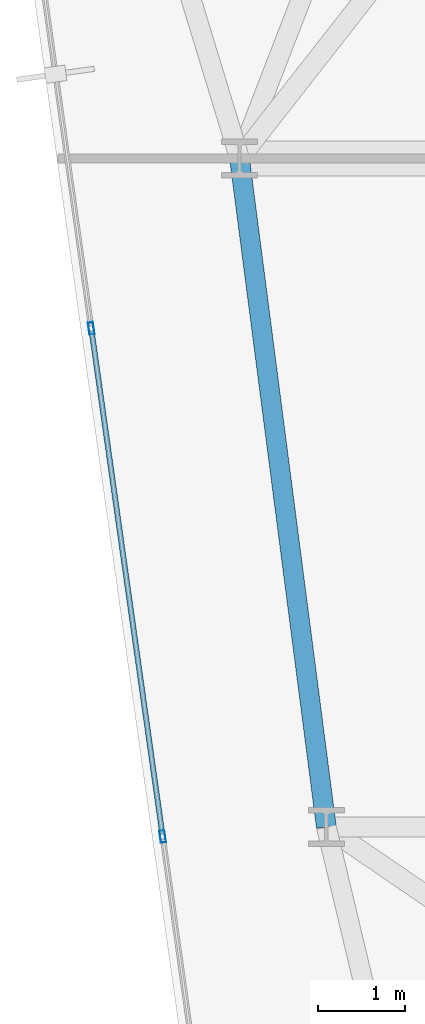
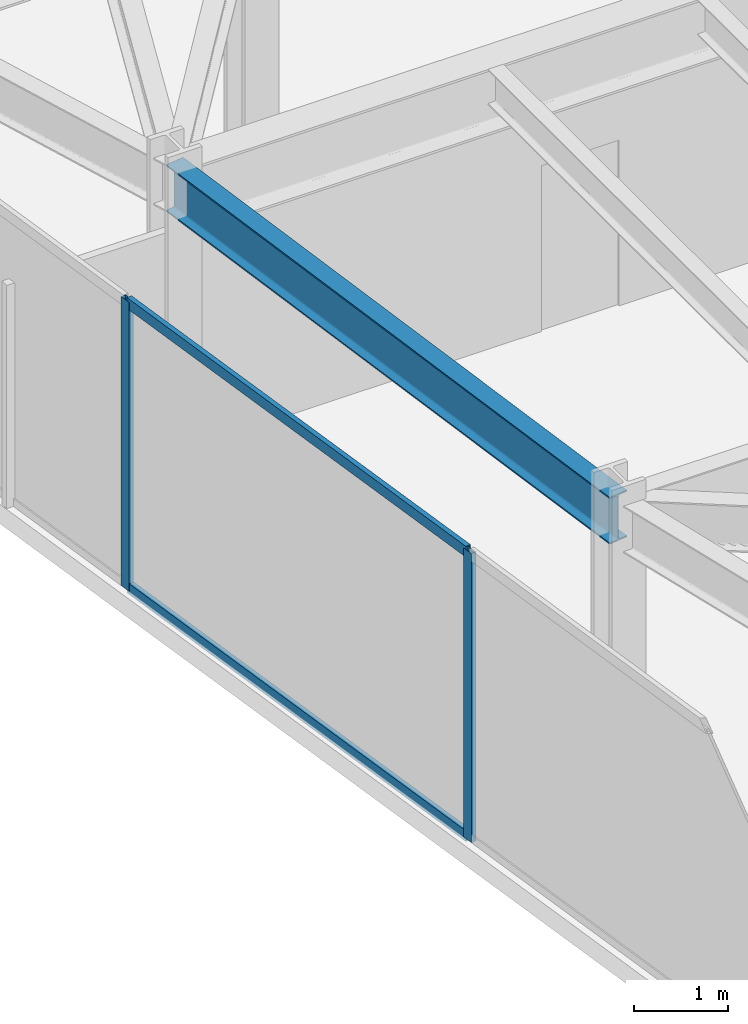
# One storey, part 5 of 26: 4 members, 1 beam, 1 element without a shape of its own.
"""IFC4 building model written with IfcOpenShell, lengths in metres."""

import ifcopenshell
import ifcopenshell.guid

model = None  # the IFC model being written
_history = None  # IfcOwnerHistory: only IFC2X3 demands one
_inside = {}  # id of a spatial element -> (the spatial element, [elements in it])
_under = {}  # id of a project, library or spatial element -> (it, [spatial elements below it])
_declared = {}  # id of a project -> (the project, [libraries it declares])
_typed = {}  # id of a type object -> (the type object, [elements of that type])
_made_of = {}  # id of a material, layer set ... -> (it, [elements and type objects made of it])


def new_model(schema):
    """Start an empty IFC model of exactly this schema.

    Asked for "IFC4X3", IfcOpenShell would pick the latest addendum, in which some entities
    have other attributes; the version numbers below select the first issue.
    IFC2X3 requires an IfcOwnerHistory on every rooted entity: one is made here for all.
    """
    global model, _history
    if schema == "IFC4X3":
        model = ifcopenshell.file(schema_version=(4, 3, 0, 0))
    else:
        model = ifcopenshell.file(schema=schema)
    _inside.clear()
    _under.clear()
    _declared.clear()
    _typed.clear()
    _made_of.clear()
    _history = None
    if model.schema == "IFC2X3":
        org = make("IfcOrganization", Name="unknown")
        user = make(
            "IfcPersonAndOrganization",
            ThePerson=make("IfcPerson", FamilyName="unknown"),
            TheOrganization=org,
        )
        app = make(
            "IfcApplication",
            ApplicationDeveloper=org,
            Version="unknown",
            ApplicationFullName="unknown",
            ApplicationIdentifier="unknown",
        )
        _history = make(
            "IfcOwnerHistory",
            OwningUser=user,
            OwningApplication=app,
            ChangeAction="ADDED",
            CreationDate=0,
        )
    return model


def make(cls, **values):
    """One entity of the class cls with the attributes given. An attribute that is None is left unset."""
    return model.create_entity(
        cls, **{name: value for name, value in values.items() if value is not None}
    )


def rooted(cls, **values):
    """An entity with a GlobalId (a new one), such as an element, a storey or a relation."""
    return make(cls, GlobalId=ifcopenshell.guid.new(), OwnerHistory=_history, **values)


def si_unit(unit_type, name, prefix=None):
    """IfcSIUnit, for example si_unit("LENGTHUNIT", "METRE", prefix="MILLI")."""
    return make("IfcSIUnit", UnitType=unit_type, Prefix=prefix, Name=name)


def assignment(units):
    """IfcUnitAssignment: the units of a project."""
    return None if units is None else make("IfcUnitAssignment", Units=units)


def point(xyz):
    """IfcCartesianPoint."""
    return None if xyz is None else make("IfcCartesianPoint", Coordinates=xyz)


def direction(xyz):
    """IfcDirection."""
    return None if xyz is None else make("IfcDirection", DirectionRatios=xyz)


def frame(location, z_axis=None, x_axis=None):
    """IfcAxis2Placement3D, a coordinate frame: its origin and axes. An axis left out is left unset."""
    return make(
        "IfcAxis2Placement3D",
        Location=point(location),
        Axis=direction(z_axis),
        RefDirection=direction(x_axis),
    )


def frame_2d(location, x_axis=None):
    """IfcAxis2Placement2D, a coordinate frame in the plane: its origin and x axis."""
    return make(
        "IfcAxis2Placement2D", Location=point(location), RefDirection=direction(x_axis)
    )


def origin():
    """The frame at (0, 0, 0) with its axes left unset."""
    return frame((0.0, 0.0, 0.0))


def origin_2d():
    """The frame at (0, 0) in the plane with its x axis left unset."""
    return frame_2d((0.0, 0.0))


def place(relative_to, where):
    """IfcLocalPlacement: puts the frame where relative to a parent placement (None: the world)."""
    return make(
        "IfcLocalPlacement", PlacementRelTo=relative_to, RelativePlacement=where
    )


def context(
    kind, dimensions, precision=None, world=None, true_north=None, identifier=None
):
    """IfcGeometricRepresentationContext, for example the 3D "Model" context."""
    return make(
        "IfcGeometricRepresentationContext",
        ContextIdentifier=identifier,
        ContextType=kind,
        CoordinateSpaceDimension=dimensions,
        Precision=precision,
        WorldCoordinateSystem=world,
        TrueNorth=true_north,
    )


def subcontext(parent, identifier, kind, view, scale=None):
    """IfcGeometricRepresentationSubContext, for example "Body" below "Model"."""
    return make(
        "IfcGeometricRepresentationSubContext",
        ContextIdentifier=identifier,
        ContextType=kind,
        ParentContext=parent,
        TargetScale=scale,
        TargetView=view,
    )


def project(units=None, contexts=None):
    """IfcProject with its units and contexts."""
    return rooted(
        "IfcProject",
        Name="project",
        RepresentationContexts=contexts,
        UnitsInContext=assignment(units),
    )


def spatial(cls, under=None, at=None, **own):
    """A site, building, storey or space (cls), placed at a placement, below another one or the project."""
    s = rooted(cls, ObjectPlacement=at, **own)
    if under is not None:
        _under.setdefault(under.id(), (under, []))[1].append(s)
    return s


def profile(cls, at=None, kind="AREA", **sizes):
    """A parametric profile (cls). Its sizes go by their IFC names, for example OverallWidth=200.0."""
    return make(cls, ProfileType=kind, Position=at, **sizes)


def hollow_rectangle(**sizes):
    """IfcRectangleHollowProfileDef."""
    return profile("IfcRectangleHollowProfileDef", **sizes)


def i_section(**sizes):
    """IfcIShapeProfileDef."""
    return profile("IfcIShapeProfileDef", **sizes)


def extrude(swept, where, along, depth):
    """IfcExtrudedAreaSolid: the profile swept, set in the frame where, extruded along a direction by depth."""
    return make(
        "IfcExtrudedAreaSolid",
        SweptArea=swept,
        Position=where,
        ExtrudedDirection=direction(along),
        Depth=depth,
    )


def shape(context_of_items, identifier, shape_type, items):
    """IfcShapeRepresentation: the items that make up one representation, for example the "Body"."""
    return make(
        "IfcShapeRepresentation",
        ContextOfItems=context_of_items,
        RepresentationIdentifier=identifier,
        RepresentationType=shape_type,
        Items=items,
    )


def material(Name=None, Category=None):
    """IfcMaterial."""
    return make("IfcMaterial", Name=Name, Category=Category)


def layer(
    of_material, thickness, ventilated=None, Name=None, Category=None, Priority=None
):
    """IfcMaterialLayer: one layer of a wall or slab, of a material (None: an air gap)."""
    return make(
        "IfcMaterialLayer",
        Material=of_material,
        LayerThickness=thickness,
        IsVentilated=ventilated,
        Name=Name,
        Category=Category,
        Priority=Priority,
    )


def layer_set(layers, Name=None):
    """IfcMaterialLayerSet."""
    return make("IfcMaterialLayerSet", MaterialLayers=layers, LayerSetName=Name)


def material_profile(
    of_material, cross_section, Name=None, Category=None, Priority=None
):
    """IfcMaterialProfile: a cross section and its material."""
    return make(
        "IfcMaterialProfile",
        Name=Name,
        Material=of_material,
        Profile=cross_section,
        Priority=Priority,
        Category=Category,
    )


def profile_set(profiles, Name=None, composite=None):
    """IfcMaterialProfileSet."""
    return make(
        "IfcMaterialProfileSet",
        Name=Name,
        MaterialProfiles=profiles,
        CompositeProfile=composite,
    )


def made_of(thing, what):
    """Note that an element or type object is made of a material, layer set ...; save() writes the relation."""
    if what is not None:
        _made_of.setdefault(what.id(), (what, []))[1].append(thing)
    return thing


def type_object(cls, material=None, **own):
    """A type object (cls), such as IfcWallType, which elements share."""
    return made_of(rooted(cls, **own), material)


def element(
    cls,
    number,
    at=None,
    inside=None,
    cuts=None,
    type_object=None,
    material=None,
    context=None,
    identifier="Body",
    shape_type=None,
    held_by="IfcProductDefinitionShape",
    body=None,
    shapes=None,
    **own,
):
    """One element of the class cls, such as IfcWall. Its Tag is "e" and its number.

    at: its placement. inside: the storey or other place that contains it. cuts: it is an
    opening in that element (IfcRelVoidsElement). A single representation is given by context,
    identifier, shape_type and body (its items); several are given by shapes. held_by: the class
    of the entity that holds the representations. save() writes the other relations.
    """
    e = rooted(cls, Tag="e%d" % number, ObjectPlacement=at, **own)
    if body is not None:
        shapes = [shape(context, identifier, shape_type, body)]
    if shapes is not None:
        e.Representation = make(held_by, Representations=shapes)
    if inside is not None:
        _inside.setdefault(inside.id(), (inside, []))[1].append(e)
    if cuts is not None:
        rooted(
            "IfcRelVoidsElement", RelatingBuildingElement=cuts, RelatedOpeningElement=e
        )
    if type_object is not None:
        _typed.setdefault(type_object.id(), (type_object, []))[1].append(e)
    return made_of(e, material)


def aggregate(whole, parts):
    """IfcRelAggregates: a whole, such as a stair, and the parts it consists of."""
    return rooted("IfcRelAggregates", RelatingObject=whole, RelatedObjects=parts)


def save(model, path):
    """Write the relations noted so far, then the file.

    IfcRelAggregates (storeys below a building ...), IfcRelContainedInSpatialStructure (elements
    in a storey), IfcRelDefinesByType, IfcRelAssociatesMaterial and IfcRelDeclares: one each for
    every whole, place, type object, material and project.
    """
    for whole, parts in _under.values():
        aggregate(whole, parts)
    for where, things in _inside.values():
        rooted(
            "IfcRelContainedInSpatialStructure",
            RelatedElements=things,
            RelatingStructure=where,
        )
    for kind, things in _typed.values():
        rooted("IfcRelDefinesByType", RelatedObjects=things, RelatingType=kind)
    for what, things in _made_of.values():
        rooted("IfcRelAssociatesMaterial", RelatedObjects=things, RelatingMaterial=what)
    for by, libraries in _declared.values():
        rooted("IfcRelDeclares", RelatingContext=by, RelatedDefinitions=libraries)
    model.write(path)


model = new_model("IFC4")

# Units and contexts
model_context = context("Model", 3, precision=1e-05, world=origin(), true_north=direction((0.0, 1.0)))
body_context = subcontext(model_context, "Body", "Model", "MODEL_VIEW")
ifc_project = project(units=[si_unit("LENGTHUNIT", "METRE"), si_unit("AREAUNIT", "SQUARE_METRE"), si_unit("VOLUMEUNIT", "CUBIC_METRE"), si_unit("PLANEANGLEUNIT", "RADIAN"), si_unit("MASSUNIT", "GRAM", prefix="KILO")], contexts=[model_context])

# Site, building, storey
site_placement = place(None, origin())
site = spatial("IfcSite", under=ifc_project, at=site_placement, CompositionType="ELEMENT")
building_placement = place(site_placement, origin())
building = spatial("IfcBuilding", under=site, at=building_placement, Name="Kravanh Interchange Tower", CompositionType="ELEMENT")
storey_placement = place(building_placement, frame((0.0, 0.0, 148.0)))
storey = spatial("IfcBuildingStorey", under=building, at=storey_placement, Name="L35", CompositionType="ELEMENT", Elevation=148.0)

# Curtain wall, members
ifc_material_1 = material(Name="Anodised Bronze Aluminium", Category="aluminium")
ifc_layer = layer(ifc_material_1, 0.179931640625)
ifc_layer_set = layer_set([ifc_layer], Name="Unitised Curtain Wall System CW-Z2 Mid Office")
curtain_wall_type = type_object("IfcCurtainWallType", Name="Unitised Curtain Wall System CW-Z2 Mid Office", PredefinedType="NOTDEFINED", material=ifc_layer_set)
curtain_wall_placement = place(storey_placement, origin())
curtain_wall = element("IfcCurtainWall", 1, at=curtain_wall_placement, inside=storey, type_object=curtain_wall_type, Name="L35 Unitised Curtain Wall CW-L35-01", PredefinedType="NOTDEFINED")
ifc_material_2 = material(Name="Anodised Bronze Aluminium", Category="aluminium")
ifc_material_profile_1 = material_profile(ifc_material_2, hollow_rectangle(XDim=0.06005859375, YDim=0.139892578125, WallThickness=0.00390625, at=origin_2d()), Name="ALU60X140X4")
ifc_profile_set_1 = profile_set([ifc_material_profile_1], Name="Anodised Bronze Aluminium")
member_type_1 = type_object("IfcMemberType", Name="Curtain Wall Mullion ALU60X140X4 Bronze", PredefinedType="MULLION", material=ifc_profile_set_1)
member_1_placement = place(storey_placement, frame((14.114990234375, 14.390869140625, 0.0), z_axis=(0.0, 0.0, 1.0), x_axis=(-0.990268103846, -0.13917285118, 0.0)))
member_1 = element("IfcMember", 2, at=member_1_placement, type_object=member_type_1, Name="CW-Z2 mullion 2", PredefinedType="MULLION", context=body_context, shape_type="SweptSolid", body=[
    extrude(hollow_rectangle(XDim=0.06005859375, YDim=0.139892578125, WallThickness=0.00390625, at=origin_2d()), origin(), (0.0, 0.0, 1.0), 3.75),
])
member_2_placement = place(storey_placement, frame((13.29248046875, 20.2431640625, 0.0), z_axis=(0.0, 0.0, 1.0), x_axis=(-0.990268103846, -0.13917285118, 0.0)))
member_2 = element("IfcMember", 3, at=member_2_placement, type_object=member_type_1, Name="CW-Z2 mullion 3", PredefinedType="MULLION", context=body_context, shape_type="SweptSolid", body=[
    extrude(hollow_rectangle(XDim=0.06005859375, YDim=0.139892578125, WallThickness=0.00390625, at=origin_2d()), origin(), (0.0, 0.0, 1.0), 3.75),
])
ifc_material_3 = material(Name="Anodised Bronze Aluminium", Category="aluminium")
ifc_material_profile_2 = material_profile(ifc_material_3, hollow_rectangle(XDim=0.06005859375, YDim=0.139892578125, WallThickness=0.00390625, at=origin_2d()), Name="ALU60X140X4")
ifc_profile_set_2 = profile_set([ifc_material_profile_2], Name="Anodised Bronze Aluminium")
member_type_2 = type_object("IfcMemberType", Name="Curtain Wall Transom ALU60X140X4 Bronze", PredefinedType="USERDEFINED", material=ifc_profile_set_2)
member_3_placement = place(storey_placement, frame((14.11083984375, 14.420654296875, 0.030029296875), z_axis=(-0.139183212647, 0.990266647584, 0.0), x_axis=(-0.990266647584, -0.139183212647, 0.0)))
member_3 = element("IfcMember", 4, at=member_3_placement, type_object=member_type_2, Name="CW-Z2 transom 2.1", ObjectType="TRANSOM", PredefinedType="USERDEFINED", context=body_context, shape_type="SweptSolid", body=[
    extrude(hollow_rectangle(XDim=0.06005859375, YDim=0.139892578125, WallThickness=0.00390625, at=origin_2d()), origin(), (0.0, 0.0, 1.0), 5.849853515625),
])
member_4_placement = place(storey_placement, frame((14.11083984375, 14.420654296875, 3.719970703125), z_axis=(-0.139183212647, 0.990266647584, 0.0), x_axis=(-0.990266647584, -0.139183212647, 0.0)))
member_4 = element("IfcMember", 5, at=member_4_placement, type_object=member_type_2, Name="CW-Z2 transom 2.2", ObjectType="TRANSOM", PredefinedType="USERDEFINED", context=body_context, shape_type="SweptSolid", body=[
    extrude(hollow_rectangle(XDim=0.06005859375, YDim=0.139892578125, WallThickness=0.00390625, at=origin_2d()), origin(), (0.0, 0.0, 1.0), 5.849853515625),
])
aggregate(curtain_wall, [member_1, member_2, member_3, member_4])

# Beam
ifc_material_4 = material(Name="Structural Steel S355", Category="steel")
ifc_material_profile_3 = material_profile(ifc_material_4, i_section(OverallWidth=0.22802734375, OverallDepth=0.60791015625, WebThickness=0.01123046875, FlangeThickness=0.017333984375, FilletRadius=0.02197265625, at=origin_2d()), Name="W24X76")
ifc_profile_set_3 = profile_set([ifc_material_profile_3], Name="Structural Steel S355")
beam_type = type_object("IfcBeamType", Name="Floor Spandrel W24X76 Structural Steel S355", PredefinedType="SPANDREL", material=ifc_profile_set_3)
beam_placement = place(storey_placement, frame((16.0, 14.5, 3.446044921875), z_axis=(-0.128789384125, 0.99167196922, 0.0), x_axis=(-0.99167196922, -0.128789384125, 0.0)))
element("IfcBeam", 6, at=beam_placement, inside=storey, type_object=beam_type, Name="L35 Perimeter Spandrel 100", PredefinedType="SPANDREL", context=body_context, shape_type="SweptSolid", body=[
    extrude(i_section(OverallWidth=0.22802734375, OverallDepth=0.60791015625, WebThickness=0.01123046875, FlangeThickness=0.017333984375, FilletRadius=0.02197265625, at=origin_2d()), origin(), (0.0, 0.0, 1.0), 7.7646484375),
])

save(model, "model.ifc")
